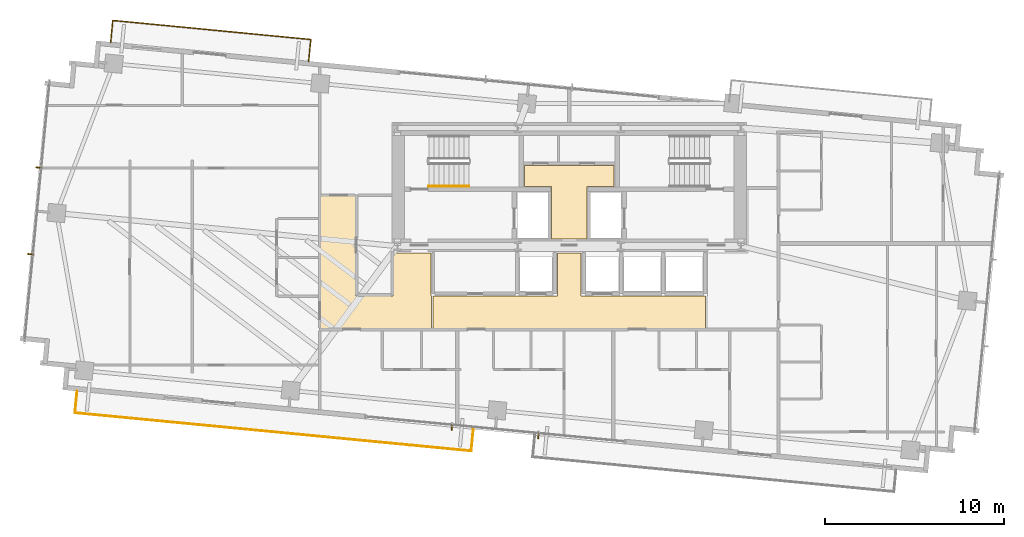
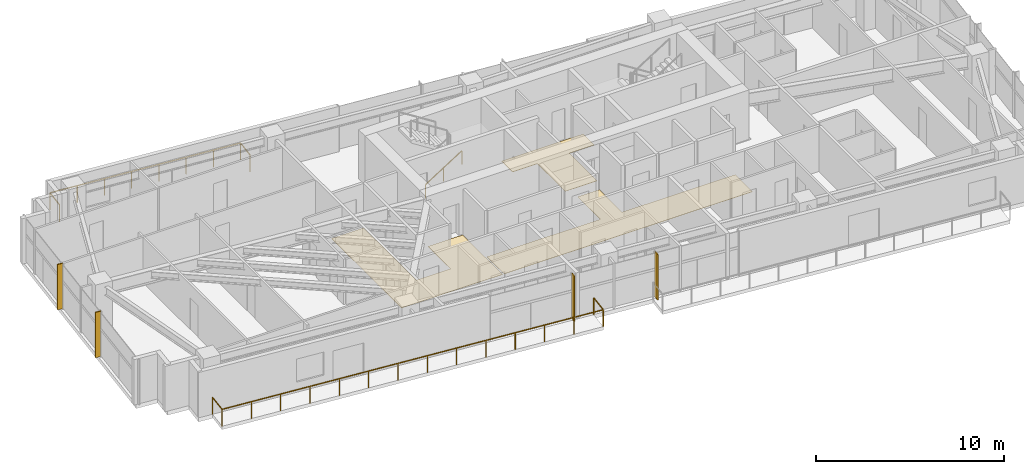
# One storey, part 18 of 19: 4 shading devices, 3 coverings, 3 railings.
"""IFC4 building model written with IfcOpenShell, lengths in metres."""

from ifc_helpers import new_model, si_unit, direction, frame, origin, origin_2d, place, context, subcontext, project, spatial, polyline, rectangle, outline, extrude, source, transform, mapped, material, layer, layer_set, type_object, type_shapes, element, save


model = new_model("IFC4")

# Units and contexts
model_context = context("Model", 3, precision=1e-05, world=origin(), true_north=direction((0.0, 1.0)))
body_context = subcontext(model_context, "Body", "Model", "MODEL_VIEW")
ifc_project = project(units=[si_unit("LENGTHUNIT", "METRE"), si_unit("AREAUNIT", "SQUARE_METRE"), si_unit("VOLUMEUNIT", "CUBIC_METRE"), si_unit("PLANEANGLEUNIT", "RADIAN"), si_unit("MASSUNIT", "GRAM", prefix="KILO")], contexts=[model_context])

# Site, building, storey
site_placement = place(None, origin())
site = spatial("IfcSite", under=ifc_project, at=site_placement, CompositionType="ELEMENT")
building_placement = place(site_placement, origin())
building = spatial("IfcBuilding", under=site, at=building_placement, Name="Astriad Promenade Condominiums", CompositionType="ELEMENT")
storey_placement = place(building_placement, frame((0.0, 0.0, 140.60009765625)))
storey = spatial("IfcBuildingStorey", under=building, at=storey_placement, Name="L40", CompositionType="ELEMENT", Elevation=140.60009765625)

# Coverings
ifc_material_1 = material(Name="Polished Lakefront Terrazzo Flooring")
ifc_layer = layer(ifc_material_1, 0.02001953125)
ifc_layer_set = layer_set([ifc_layer], Name="Polished Lakefront Terrazzo Flooring")
covering_type = type_object("IfcCoveringType", Name="COV-FLOR-TERRAZZO-20", PredefinedType="FLOORING", material=ifc_layer_set)
covering_1_placement = place(storey_placement, origin())
element("IfcCovering", 1, at=covering_1_placement, inside=storey, type_object=covering_type, Name="FLR-L40-CSL", PredefinedType="FLOORING", context=body_context, shape_type="SweptSolid", body=[
    extrude(outline(polyline([(36.97998046875, 20.699951171875), (36.97998046875, 17.7900390625), (35.02001953125, 17.7900390625), (35.02001953125, 20.699951171875), (35.019775390625, 20.703857421875), (35.019287109375, 20.707763671875), (35.018310546875, 20.711669921875), (35.01708984375, 20.71533203125), (35.015380859375, 20.718994140625), (35.01318359375, 20.72216796875), (35.010986328125, 20.725341796875), (35.00830078125, 20.728271484375), (35.00537109375, 20.73095703125), (35.002197265625, 20.7333984375), (34.998779296875, 20.7353515625), (34.995361328125, 20.737060546875), (34.99169921875, 20.73828125), (34.98779296875, 20.7392578125), (34.98388671875, 20.73974609375), (34.97998046875, 20.739990234375), (33.5, 20.739990234375), (33.5, 21.909912109375), (38.5, 21.909912109375), (38.5, 20.739990234375), (37.02001953125, 20.739990234375), (37.01611328125, 20.73974609375), (37.01220703125, 20.7392578125), (37.00830078125, 20.73828125), (37.004638671875, 20.737060546875), (37.001220703125, 20.7353515625), (36.997802734375, 20.7333984375), (36.99462890625, 20.73095703125), (36.99169921875, 20.728271484375), (36.989013671875, 20.725341796875), (36.98681640625, 20.72216796875), (36.984619140625, 20.718994140625), (36.98291015625, 20.71533203125), (36.981689453125, 20.711669921875), (36.980712890625, 20.707763671875), (36.980224609375, 20.703857421875), (36.97998046875, 20.699951171875)])), origin(), (0.0, 0.0, 1.0), 0.02001953125),
])
covering_2_placement = place(storey_placement, origin())
element("IfcCovering", 2, at=covering_2_placement, inside=storey, type_object=covering_type, Name="FLR-L40-LLB", PredefinedType="FLOORING", context=body_context, shape_type="SweptSolid", body=[
    extrude(outline(polyline([(32.9736328125, 14.6201171875), (32.974609375, 14.619140625), (32.977783203125, 14.61669921875), (32.981201171875, 14.61474609375), (32.984619140625, 14.613037109375), (32.98828125, 14.61181640625), (32.9921875, 14.61083984375), (32.99609375, 14.610107421875), (33.0, 14.610107421875), (35.300048828125, 14.610107421875), (35.303955078125, 14.610107421875), (35.307861328125, 14.61083984375), (35.3115234375, 14.61181640625), (35.315185546875, 14.613037109375), (35.31884765625, 14.61474609375), (35.322265625, 14.61669921875), (35.325439453125, 14.619140625), (35.328369140625, 14.62158203125), (35.330810546875, 14.62451171875), (35.333251953125, 14.627685546875), (35.335205078125, 14.631103515625), (35.3369140625, 14.634765625), (35.33837890625, 14.638427734375), (35.339111328125, 14.64208984375), (35.33984375, 14.64599609375), (35.340087890625, 14.64990234375), (35.340087890625, 17.010009765625), (36.659912109375, 17.010009765625), (36.659912109375, 14.64990234375), (36.66015625, 14.64599609375), (36.660888671875, 14.64208984375), (36.66162109375, 14.638427734375), (36.6630859375, 14.634765625), (36.664794921875, 14.631103515625), (36.666748046875, 14.627685546875), (36.669189453125, 14.62451171875), (36.671630859375, 14.62158203125), (36.674560546875, 14.619140625), (36.677734375, 14.61669921875), (36.68115234375, 14.61474609375), (36.684814453125, 14.613037109375), (36.6884765625, 14.61181640625), (36.692138671875, 14.61083984375), (36.696044921875, 14.610107421875), (36.699951171875, 14.610107421875), (43.610107421875, 14.610107421875), (43.610107421875, 12.7900390625), (28.389892578125, 12.7900390625), (28.389892578125, 14.6201171875), (32.9736328125, 14.6201171875)])), origin(), (0.0, 0.0, 1.0), 0.02001953125),
])
covering_3_placement = place(storey_placement, origin())
element("IfcCovering", 3, at=covering_3_placement, inside=storey, type_object=covering_type, Name="FLR-L40-COR-2", PredefinedType="FLOORING", context=body_context, shape_type="SweptSolid", body=[
    extrude(outline(polyline([(28.300048828125, 12.7900390625), (22.090087890625, 12.7900390625), (22.090087890625, 20.2099609375), (24.06005859375, 20.2099609375), (24.06005859375, 14.659912109375), (24.060302734375, 14.656005859375), (24.060791015625, 14.652099609375), (24.061767578125, 14.6484375), (24.06298828125, 14.644775390625), (24.064697265625, 14.64111328125), (24.066650390625, 14.6376953125), (24.069091796875, 14.634521484375), (24.07177734375, 14.631591796875), (24.07470703125, 14.629150390625), (24.077880859375, 14.626708984375), (24.0810546875, 14.624755859375), (24.084716796875, 14.623046875), (24.08837890625, 14.62158203125), (24.09228515625, 14.620849609375), (24.09619140625, 14.6201171875), (24.10009765625, 14.6201171875), (26.1201171875, 14.6201171875), (26.123779296875, 14.6201171875), (26.127685546875, 14.620849609375), (26.131591796875, 14.62158203125), (26.13525390625, 14.623046875), (26.138916015625, 14.624755859375), (26.14208984375, 14.626708984375), (26.1455078125, 14.629150390625), (26.148193359375, 14.631591796875), (26.15087890625, 14.634521484375), (26.1533203125, 14.6376953125), (26.1552734375, 14.64111328125), (26.156982421875, 14.644775390625), (26.158203125, 14.6484375), (26.1591796875, 14.652099609375), (26.159912109375, 14.656005859375), (26.159912109375, 14.659912109375), (26.159912109375, 17.010009765625), (28.280029296875, 17.010009765625), (28.280029296875, 14.659912109375), (28.2802734375, 14.656005859375), (28.28076171875, 14.652099609375), (28.28173828125, 14.6484375), (28.282958984375, 14.644775390625), (28.28466796875, 14.64111328125), (28.28662109375, 14.6376953125), (28.2890625, 14.634521484375), (28.291748046875, 14.631591796875), (28.294677734375, 14.629150390625), (28.2978515625, 14.626708984375), (28.300048828125, 14.62548828125), (28.300048828125, 12.7900390625)])), origin(), (0.0, 0.0, 1.0), 0.02001953125),
])

# Shading devices
ifc_material_2 = material(Name="Anodised aluminium 6063-T6 Black Fin", Category="aluminium")
shading_device_type = type_object("IfcShadingDeviceType", Name="FIN-BLACK-260", PredefinedType="USERDEFINED", material=ifc_material_2)
shared_shape_1 = source(origin(), body_context, "Body", "SweptSolid", [
    extrude(rectangle(XDim=0.06494140625, YDim=0.320068359375, at=origin_2d()), origin(), (0.0, 0.0, 1.0), 2.93994140625),
])
type_shapes(shading_device_type, [shared_shape_1])
for number, where, z_axis, x_axis, name in (
    (4, (5.880126953125, 16.947509765625, 0.0), (0.0, 0.0, 1.0), (0.09584575252, 0.995396198367, 0.0), "CW-L40-W-FIN-01"),
    (5, (6.3466796875, 21.791748046875, 0.0), (0.0, 0.0, 1.0), (0.09584575252, 0.995396198367, 0.0), "CW-L40-W-FIN-02"),
    (6, (34.278564453125, 6.80224609375, 0.0), (0.0, 0.0, 1.0), (-0.995396198367, 0.09584575252, 0.0), "CW-L40-S-FIN-01"),
    (7, (29.44091796875, 7.26806640625, 0.0), (0.0, 0.0, 1.0), (-0.995396198367, 0.09584575252, 0.0), "CW-L40-S-FIN-02"),
):
    element("IfcShadingDevice", number, at=place(storey_placement, frame(where, z_axis=z_axis, x_axis=x_axis)), inside=storey, type_object=shading_device_type, Name=name, ObjectType="FIN", PredefinedType="USERDEFINED", context=body_context, shape_type="MappedRepresentation", body=[
        mapped(shared_shape_1, transform((0.0, 0.0, 0.0), scale=1.0)),
    ])

# Railings
ifc_material_3 = material(Name="Laminated Glass and Stainless Steel Balustrade", Category="steel")
railing_type_1 = type_object("IfcRailingType", Name="GRD-BALC-1120", PredefinedType="BALUSTRADE", material=ifc_material_3)
shared_shape_2 = source(origin(), body_context, "Body", "SweptSolid", [
    extrude(rectangle(XDim=0.048095703125, YDim=0.048095703125, at=origin_2d()), frame((0.0, 0.0, 1.09619140625), z_axis=(-0.095857307208, -0.99539508571, 0.0), x_axis=(0.99539508571, -0.095857307208, 0.0)), (0.0, 0.0, 1.0), 1.219970703125),
    extrude(rectangle(XDim=0.048095703125, YDim=0.048095703125, at=origin_2d()), frame((-0.116943359375, -1.21435546875, 1.09619140625), z_axis=(0.995396014032, -0.09584766689, 0.0), x_axis=(0.09584766689, 0.995396014032, 0.0)), (0.0, 0.0, 1.0), 22.252197265625),
    extrude(rectangle(XDim=0.048095703125, YDim=0.048095703125, at=origin_2d()), frame((22.03271484375, -3.34716796875, 1.09619140625), z_axis=(0.095857307208, 0.99539508571, 0.0), x_axis=(-0.99539508571, 0.095857307208, 0.0)), (0.0, 0.0, 1.0), 1.219970703125),
    extrude(rectangle(XDim=0.0419921875, YDim=0.0419921875, at=origin_2d()), origin(), (0.0, 0.0, 1.0), 1.072021484375),
    extrude(rectangle(XDim=0.0419921875, YDim=0.0419921875, at=origin_2d()), frame((-0.116943359375, -1.21435546875, 0.0)), (0.0, 0.0, 1.0), 1.072021484375),
    extrude(rectangle(XDim=0.0419921875, YDim=0.0419921875, at=origin_2d()), frame((1.5869140625, -1.37841796875, 0.0)), (0.0, 0.0, 1.0), 1.072021484375),
    extrude(rectangle(XDim=0.0419921875, YDim=0.0419921875, at=origin_2d()), frame((3.290771484375, -1.54248046875, 0.0)), (0.0, 0.0, 1.0), 1.072021484375),
    extrude(rectangle(XDim=0.0419921875, YDim=0.0419921875, at=origin_2d()), frame((4.99462890625, -1.70654296875, 0.0)), (0.0, 0.0, 1.0), 1.072021484375),
    extrude(rectangle(XDim=0.0419921875, YDim=0.0419921875, at=origin_2d()), frame((6.6982421875, -1.87060546875, 0.0)), (0.0, 0.0, 1.0), 1.072021484375),
    extrude(rectangle(XDim=0.0419921875, YDim=0.0419921875, at=origin_2d()), frame((8.402099609375, -2.03466796875, 0.0)), (0.0, 0.0, 1.0), 1.072021484375),
    extrude(rectangle(XDim=0.0419921875, YDim=0.0419921875, at=origin_2d()), frame((10.10595703125, -2.19873046875, 0.0)), (0.0, 0.0, 1.0), 1.072021484375),
    extrude(rectangle(XDim=0.0419921875, YDim=0.0419921875, at=origin_2d()), frame((11.809814453125, -2.36279296875, 0.0)), (0.0, 0.0, 1.0), 1.072021484375),
    extrude(rectangle(XDim=0.0419921875, YDim=0.0419921875, at=origin_2d()), frame((13.513671875, -2.52685546875, 0.0)), (0.0, 0.0, 1.0), 1.072021484375),
    extrude(rectangle(XDim=0.0419921875, YDim=0.0419921875, at=origin_2d()), frame((15.217529296875, -2.69091796875, 0.0)), (0.0, 0.0, 1.0), 1.072021484375),
    extrude(rectangle(XDim=0.0419921875, YDim=0.0419921875, at=origin_2d()), frame((16.921142578125, -2.85498046875, 0.0)), (0.0, 0.0, 1.0), 1.072021484375),
    extrude(rectangle(XDim=0.0419921875, YDim=0.0419921875, at=origin_2d()), frame((18.625, -3.01904296875, 0.0)), (0.0, 0.0, 1.0), 1.072021484375),
    extrude(rectangle(XDim=0.0419921875, YDim=0.0419921875, at=origin_2d()), frame((20.328857421875, -3.18310546875, 0.0)), (0.0, 0.0, 1.0), 1.072021484375),
    extrude(rectangle(XDim=0.0419921875, YDim=0.0419921875, at=origin_2d()), frame((22.03271484375, -3.34716796875, 0.0)), (0.0, 0.0, 1.0), 1.072021484375),
    extrude(rectangle(XDim=0.0419921875, YDim=0.0419921875, at=origin_2d()), frame((22.149658203125, -2.1328125, 0.0)), (0.0, 0.0, 1.0), 1.072021484375),
])
railing_1_placement = place(storey_placement, frame((8.48486328125, 9.2958984375, 0.0)))
element("IfcRailing", 8, at=railing_1_placement, inside=storey, type_object=railing_type_1, Name="GRD-BALC-L40-SW", PredefinedType="BALUSTRADE", context=body_context, shape_type="MappedRepresentation", body=[
    mapped(shared_shape_2, transform((0.0, 0.0, 0.0), scale=1.0)),
])
shared_shape_3 = source(origin(), body_context, "Body", "SweptSolid", [
    extrude(rectangle(XDim=0.048095703125, YDim=0.048095703125, at=origin_2d()), frame((0.0, 0.0, 1.09619140625), z_axis=(0.095659020692, 0.99541416092, 0.0), x_axis=(-0.99541416092, 0.095659020692, 0.0)), (0.0, 0.0, 1.0), 1.219970703125),
    extrude(rectangle(XDim=0.048095703125, YDim=0.048095703125, at=origin_2d()), frame((0.11669921875, 1.21435546875, 1.09619140625), z_axis=(-0.995396394125, 0.095843719477, 0.0), x_axis=(-0.095843719477, -0.995396394125, 0.0)), (0.0, 0.0, 1.0), 11.1240234375),
    extrude(rectangle(XDim=0.048095703125, YDim=0.048095703125, at=origin_2d()), frame((-10.9560546875, 2.280517578125, 1.09619140625), z_axis=(-0.095857307208, -0.99539508571, 0.0), x_axis=(0.99539508571, -0.095857307208, 0.0)), (0.0, 0.0, 1.0), 1.219970703125),
    extrude(rectangle(XDim=0.0419921875, YDim=0.0419921875, at=origin_2d()), origin(), (0.0, 0.0, 1.0), 1.072021484375),
    extrude(rectangle(XDim=0.0419921875, YDim=0.0419921875, at=origin_2d()), frame((0.11669921875, 1.21435546875, 0.0)), (0.0, 0.0, 1.0), 1.072021484375),
    extrude(rectangle(XDim=0.0419921875, YDim=0.0419921875, at=origin_2d()), frame((-1.465087890625, 1.36669921875, 0.0)), (0.0, 0.0, 1.0), 1.072021484375),
    extrude(rectangle(XDim=0.0419921875, YDim=0.0419921875, at=origin_2d()), frame((-3.046875, 1.51904296875, 0.0)), (0.0, 0.0, 1.0), 1.072021484375),
    extrude(rectangle(XDim=0.0419921875, YDim=0.0419921875, at=origin_2d()), frame((-4.628662109375, 1.67138671875, 0.0)), (0.0, 0.0, 1.0), 1.072021484375),
    extrude(rectangle(XDim=0.0419921875, YDim=0.0419921875, at=origin_2d()), frame((-6.210693359375, 1.823486328125, 0.0)), (0.0, 0.0, 1.0), 1.072021484375),
    extrude(rectangle(XDim=0.0419921875, YDim=0.0419921875, at=origin_2d()), frame((-7.79248046875, 1.975830078125, 0.0)), (0.0, 0.0, 1.0), 1.072021484375),
    extrude(rectangle(XDim=0.0419921875, YDim=0.0419921875, at=origin_2d()), frame((-9.374267578125, 2.128173828125, 0.0)), (0.0, 0.0, 1.0), 1.072021484375),
    extrude(rectangle(XDim=0.0419921875, YDim=0.0419921875, at=origin_2d()), frame((-10.9560546875, 2.280517578125, 0.0)), (0.0, 0.0, 1.0), 1.072021484375),
    extrude(rectangle(XDim=0.0419921875, YDim=0.0419921875, at=origin_2d()), frame((-11.072998046875, 1.066162109375, 0.0)), (0.0, 0.0, 1.0), 1.072021484375),
])
type_shapes(railing_type_1, [shared_shape_2, shared_shape_3])
railing_2_placement = place(storey_placement, frame((21.436279296875, 27.739501953125, 0.0)))
element("IfcRailing", 9, at=railing_2_placement, inside=storey, type_object=railing_type_1, Name="GRD-BALC-L40-NW", PredefinedType="BALUSTRADE", context=body_context, shape_type="MappedRepresentation", body=[
    mapped(shared_shape_3, transform((0.0, 0.0, 0.0), scale=1.0)),
])
ifc_material_4 = material(Name="Brushed Stainless Steel Handrail", Category="steel")
railing_type_2 = type_object("IfcRailingType", Name="HRL-STAIR-920", PredefinedType="HANDRAIL", material=ifc_material_4)
shared_shape_4 = source(origin(), body_context, "Body", "SweptSolid", [
    extrude(rectangle(XDim=0.048095703125, YDim=0.048095703125, at=origin_2d()), frame((0.0, 0.0, 0.8759765625), z_axis=(0.8442293374, 0.0, 0.53598211339), x_axis=(0.0, 1.0, 0.0)), (0.0, 0.0, 1.0), 2.6533203125),
    extrude(rectangle(XDim=0.0419921875, YDim=0.0419921875, at=origin_2d()), origin(), (0.0, 0.0, 1.0), 0.851806640625),
    extrude(rectangle(XDim=0.0419921875, YDim=0.0419921875, at=origin_2d()), frame((1.1201171875, 0.0, 0.7109375)), (0.0, 0.0, 1.0), 0.851806640625),
    extrude(rectangle(XDim=0.0419921875, YDim=0.0419921875, at=origin_2d()), frame((2.239990234375, 0.0, 1.422119140625)), (0.0, 0.0, 1.0), 0.851806640625),
])
type_shapes(railing_type_2, [shared_shape_4])
railing_3_placement = place(storey_placement, frame((28.14990234375, 20.75, 0.177734375)))
element("IfcRailing", 10, at=railing_3_placement, inside=storey, type_object=railing_type_2, Name="L40 ST-1 stair handrail 1", PredefinedType="HANDRAIL", context=body_context, shape_type="MappedRepresentation", body=[
    mapped(shared_shape_4, transform((0.0, 0.0, 0.0), scale=1.0)),
])

save(model, "model.ifc")
